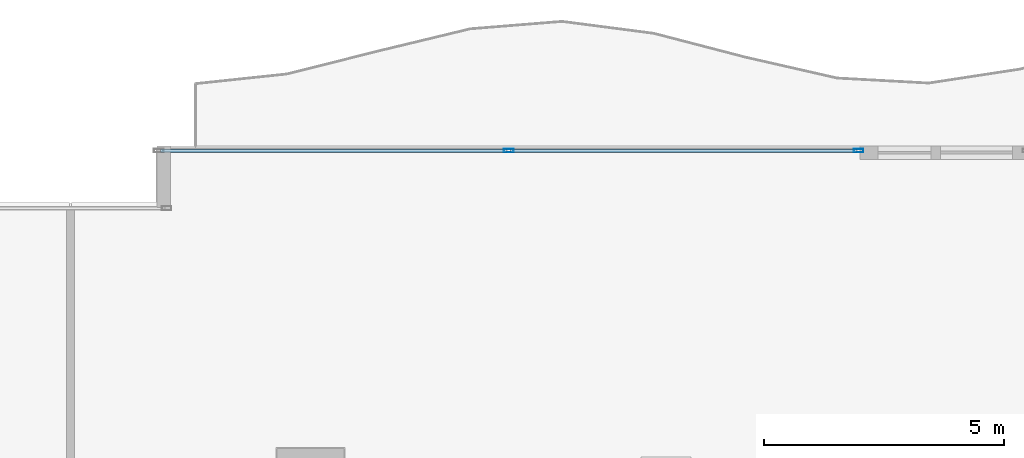
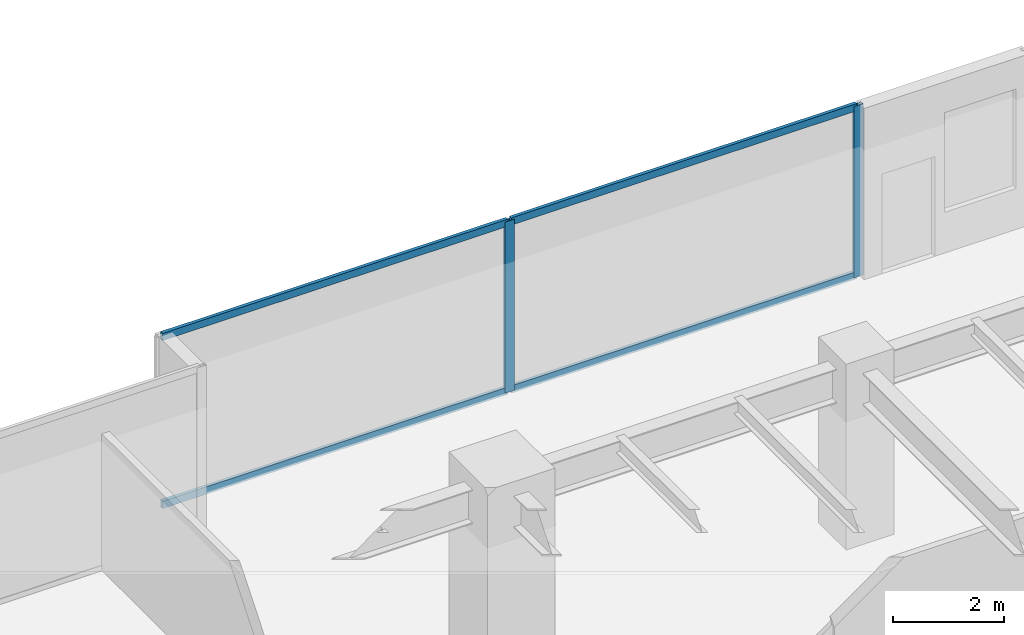
# One storey, part 19 of 32: 6 members, 1 element without a shape of its own.
"""IFC4 building model written with IfcOpenShell, lengths in metres."""

from ifc_helpers import new_model, si_unit, direction, frame, origin, origin_2d, place, context, subcontext, project, spatial, hollow_rectangle, extrude, source, transform, mapped, material, layer, layer_set, material_profile, profile_set, type_object, type_shapes, element, aggregate, save


model = new_model("IFC4")

# Units and contexts
model_context = context("Model", 3, precision=1e-05, world=origin(), true_north=direction((0.0, 1.0)))
body_context = subcontext(model_context, "Body", "Model", "MODEL_VIEW")
ifc_project = project(units=[si_unit("LENGTHUNIT", "METRE"), si_unit("AREAUNIT", "SQUARE_METRE"), si_unit("VOLUMEUNIT", "CUBIC_METRE"), si_unit("PLANEANGLEUNIT", "RADIAN"), si_unit("MASSUNIT", "GRAM", prefix="KILO")], contexts=[model_context])

# Site, building, storey
site_placement = place(None, origin())
site = spatial("IfcSite", under=ifc_project, at=site_placement, CompositionType="ELEMENT")
building_placement = place(site_placement, origin())
building = spatial("IfcBuilding", under=site, at=building_placement, Name="Haelvirn Gate Laboratories", CompositionType="ELEMENT")
storey_placement = place(building_placement, frame((0.0, 0.0, 33.39990234375)))
storey = spatial("IfcBuildingStorey", under=building, at=storey_placement, Name="L08", CompositionType="ELEMENT", Elevation=33.39990234375)

# Curtain wall, members
ifc_material_1 = material(Name="Anodised bronze unitised aluminium & triple low-E glass", Category="aluminium")
ifc_layer = layer(ifc_material_1, 0.18408203125, Name="CW-SYS-2")
ifc_layer_set = layer_set([ifc_layer], Name="Anodised bronze unitised aluminium & triple low-E glass")
curtain_wall_type = type_object("IfcCurtainWallType", Name="CW-SYS-2", PredefinedType="NOTDEFINED", material=ifc_layer_set)
curtain_wall_placement = place(storey_placement, origin())
curtain_wall = element("IfcCurtainWall", 1, at=curtain_wall_placement, inside=storey, type_object=curtain_wall_type, Name="L08 Unitised Curtain Wall CW-L08-P0-E10-1", PredefinedType="NOTDEFINED")
ifc_material_2 = material(Name="Extruded aluminium 6063-T6 (anodised bronze)", Category="aluminium")
ifc_material_profile_1 = material_profile(ifc_material_2, hollow_rectangle(XDim=0.074951171875, YDim=0.199951171875, WallThickness=0.0048828125, at=origin_2d()), Name="CWM-200x75x5")
ifc_profile_set_1 = profile_set([ifc_material_profile_1], Name="Extruded aluminium 6063-T6 (anodised bronze)")
member_type_1 = type_object("IfcMemberType", Name="CWM-T200", PredefinedType="MULLION", material=ifc_profile_set_1)
shared_shape_1 = source(origin(), body_context, "Body", "SweptSolid", [
    extrude(hollow_rectangle(XDim=0.074951171875, YDim=0.199951171875, WallThickness=0.0048828125, at=origin_2d()), origin(), (0.0, 0.0, 1.0), 3.780029296875),
])
type_shapes(member_type_1, [shared_shape_1])
member_1_placement = place(storey_placement, frame((56.72509765625, 48.5, 0.0), z_axis=(0.0, 0.0, 1.0), x_axis=(0.0, 1.0, 0.0)))
member_1 = element("IfcMember", 2, at=member_1_placement, type_object=member_type_1, Name="CW2 mullion 2", PredefinedType="MULLION", context=body_context, shape_type="MappedRepresentation", body=[
    mapped(shared_shape_1, transform((0.0, 0.0, 0.0), scale=1.0)),
])
member_2_placement = place(storey_placement, frame((64.012451171875, 48.5, 0.0), z_axis=(0.0, 0.0, 1.0), x_axis=(0.0, 1.0, 0.0)))
member_2 = element("IfcMember", 3, at=member_2_placement, type_object=member_type_1, Name="CW2 mullion 3", PredefinedType="MULLION", context=body_context, shape_type="MappedRepresentation", body=[
    mapped(shared_shape_1, transform((0.0, 0.0, 0.0), scale=1.0)),
])
ifc_material_profile_2 = material_profile(ifc_material_2, hollow_rectangle(XDim=0.070068359375, YDim=0.159912109375, WallThickness=0.0048828125, at=origin_2d()), Name="CWT-160x70x5")
ifc_profile_set_2 = profile_set([ifc_material_profile_2], Name="Extruded aluminium 6063-T6 (anodised bronze)")
member_type_2 = type_object("IfcMemberType", Name="CWT-T160", PredefinedType="USERDEFINED", material=ifc_profile_set_2)
shared_shape_2 = source(origin(), body_context, "Body", "SweptSolid", [
    extrude(hollow_rectangle(XDim=0.070068359375, YDim=0.159912109375, WallThickness=0.0048828125, at=origin_2d()), origin(), (0.0, 0.0, 1.0), 7.212646484375),
])
member_3_placement = place(storey_placement, frame((56.762451171875, 48.5, 0.03515625), z_axis=(1.0, 0.0, 0.0), x_axis=(0.0, 1.0, 0.0)))
member_3 = element("IfcMember", 4, at=member_3_placement, type_object=member_type_2, Name="CW2 transom 2.1", ObjectType="TRANSOM", PredefinedType="USERDEFINED", context=body_context, shape_type="MappedRepresentation", body=[
    mapped(shared_shape_2, transform((0.0, 0.0, 0.0), scale=1.0)),
])
member_4_placement = place(storey_placement, frame((56.762451171875, 48.5, 3.7451171875), z_axis=(1.0, 0.0, 0.0), x_axis=(0.0, 1.0, 0.0)))
member_4 = element("IfcMember", 5, at=member_4_placement, type_object=member_type_2, Name="CW2 transom 2.2", ObjectType="TRANSOM", PredefinedType="USERDEFINED", context=body_context, shape_type="MappedRepresentation", body=[
    mapped(shared_shape_2, transform((0.0, 0.0, 0.0), scale=1.0)),
])
shared_shape_3 = source(origin(), body_context, "Body", "SweptSolid", [
    extrude(hollow_rectangle(XDim=0.070068359375, YDim=0.159912109375, WallThickness=0.0048828125, at=origin_2d()), origin(), (0.0, 0.0, 1.0), 7.21240234375),
])
type_shapes(member_type_2, [shared_shape_2, shared_shape_3])
member_5_placement = place(storey_placement, frame((49.47509765625, 48.5, 0.03515625), z_axis=(1.0, 0.0, 0.0), x_axis=(0.0, 1.0, 0.0)))
member_5 = element("IfcMember", 6, at=member_5_placement, type_object=member_type_2, Name="CW2 transom 1.1", ObjectType="TRANSOM", PredefinedType="USERDEFINED", context=body_context, shape_type="MappedRepresentation", body=[
    mapped(shared_shape_3, transform((0.0, 0.0, 0.0), scale=1.0)),
])
member_6_placement = place(storey_placement, frame((49.47509765625, 48.5, 3.7451171875), z_axis=(1.0, 0.0, 0.0), x_axis=(0.0, 1.0, 0.0)))
member_6 = element("IfcMember", 7, at=member_6_placement, type_object=member_type_2, Name="CW2 transom 1.2", ObjectType="TRANSOM", PredefinedType="USERDEFINED", context=body_context, shape_type="MappedRepresentation", body=[
    mapped(shared_shape_3, transform((0.0, 0.0, 0.0), scale=1.0)),
])
aggregate(curtain_wall, [member_1, member_2, member_5, member_6, member_3, member_4])

save(model, "model.ifc")
